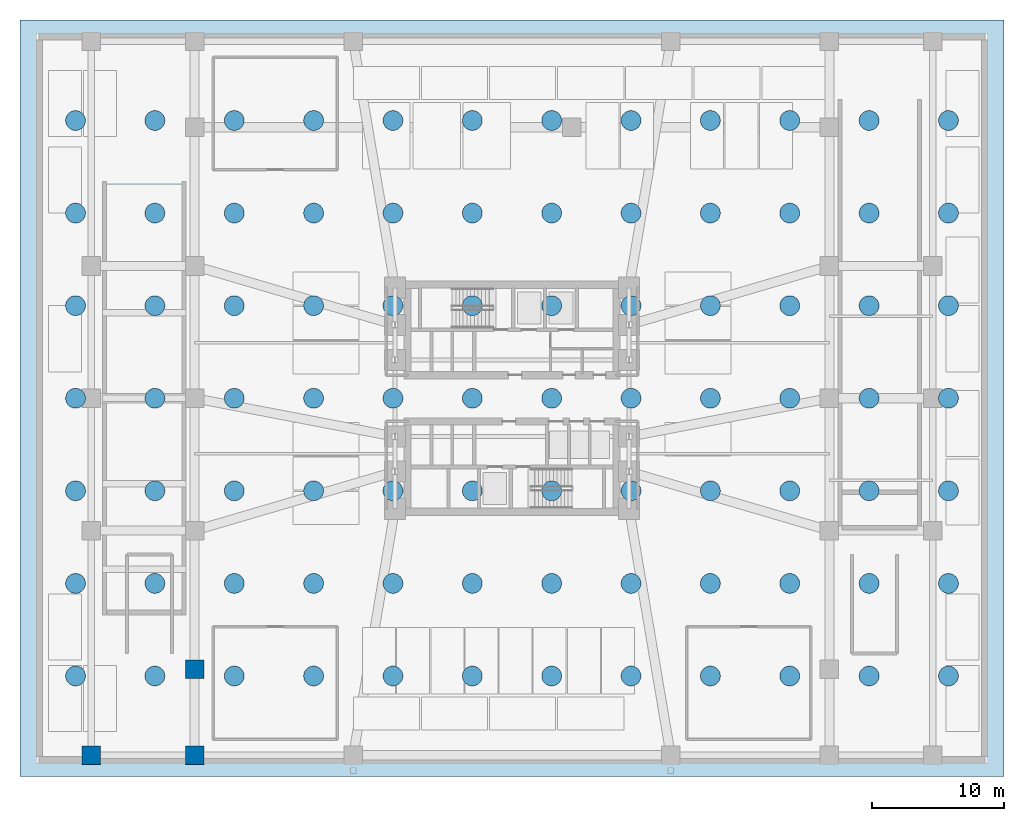
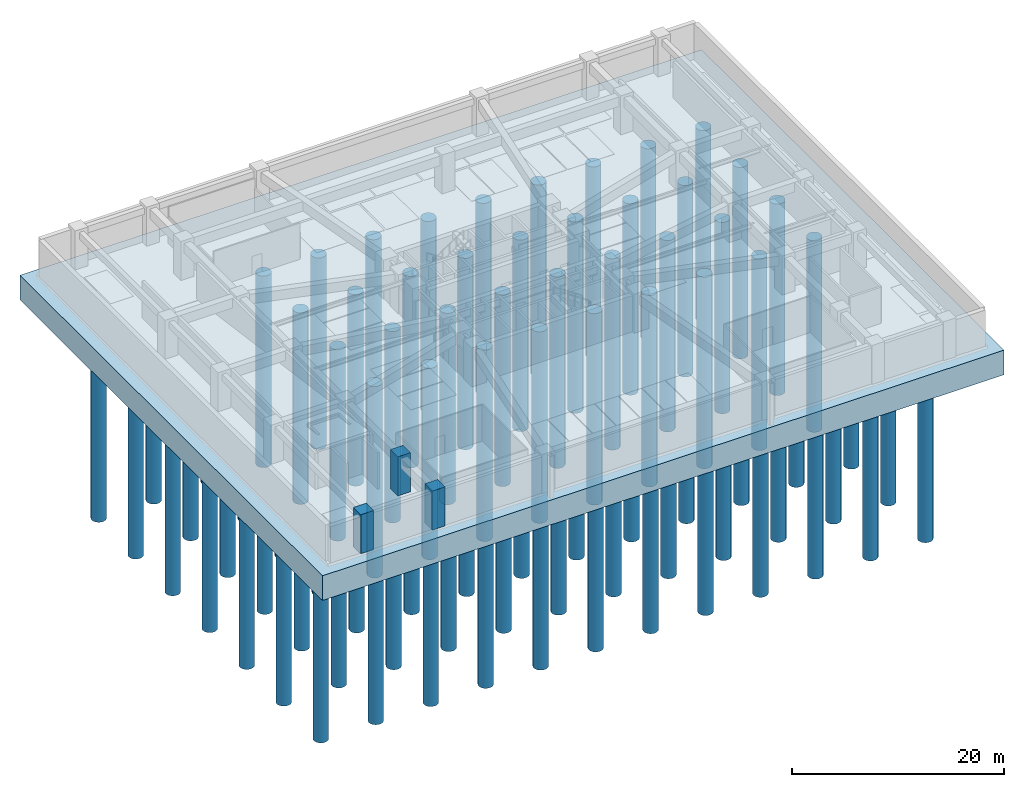
# One storey, part 1 of 14: 84 piles, 3 columns, 1 footing.
"""IFC4 building model written with IfcOpenShell, lengths in metres."""

from ifc_helpers import new_model, si_unit, direction, frame, origin, origin_2d, place, context, subcontext, project, spatial, polyline, rectangle, circle, outline, extrude, material, layer, layer_set, material_profile, profile_set, type_object, element, save


model = new_model("IFC4")

# Units and contexts
model_context = context("Model", 3, precision=1e-05, world=origin(), true_north=direction((0.0, 1.0)))
body_context = subcontext(model_context, "Body", "Model", "MODEL_VIEW")
ifc_project = project(units=[si_unit("LENGTHUNIT", "METRE"), si_unit("AREAUNIT", "SQUARE_METRE"), si_unit("VOLUMEUNIT", "CUBIC_METRE"), si_unit("PLANEANGLEUNIT", "RADIAN"), si_unit("MASSUNIT", "GRAM", prefix="KILO")], contexts=[model_context])

# Site, building, storey
site_placement = place(None, origin())
site = spatial("IfcSite", under=ifc_project, at=site_placement, CompositionType="ELEMENT")
building_placement = place(site_placement, origin())
building = spatial("IfcBuilding", under=site, at=building_placement, Name="Solmarez Civic Tower", CompositionType="ELEMENT")
storey_placement = place(building_placement, frame((0.0, 0.0, -9.0)))
storey = spatial("IfcBuildingStorey", under=building, at=storey_placement, Name="B2", CompositionType="ELEMENT", Elevation=-9.0)

# Piles
ifc_material_1 = material(Name="Concrete C45/55", Category="concrete")
ifc_material_profile_1 = material_profile(ifc_material_1, circle(Radius=0.75, at=origin_2d()), Name="PILE-D1500")
ifc_profile_set_1 = profile_set([ifc_material_profile_1], Name="Concrete C45/55")
pile_type = type_object("IfcPileType", Name="PILE-BORED-D1500", PredefinedType="BORED", material=ifc_profile_set_1)
for number, where, z_axis, x_axis, name in (
    (1, (-33.0, -21.0, -3.10009765625), (0.0, 0.0, -1.0), (1.0, 0.0, 0.0), "Rock-Socketed Bored Pile PILE-01"),
    (2, (-27.0, -21.0, -3.10009765625), (0.0, 0.0, -1.0), (1.0, 0.0, 0.0), "Rock-Socketed Bored Pile PILE-02"),
    (3, (-21.0, -21.0, -3.10009765625), (0.0, 0.0, -1.0), (1.0, 0.0, 0.0), "Rock-Socketed Bored Pile PILE-03"),
    (4, (-15.0, -21.0, -3.10009765625), (0.0, 0.0, -1.0), (1.0, 0.0, 0.0), "Rock-Socketed Bored Pile PILE-04"),
    (5, (-9.0, -21.0, -3.10009765625), (0.0, 0.0, -1.0), (1.0, 0.0, 0.0), "Rock-Socketed Bored Pile PILE-05"),
    (6, (-3.0, -21.0, -3.10009765625), (0.0, 0.0, -1.0), (1.0, 0.0, 0.0), "Rock-Socketed Bored Pile PILE-06"),
    (7, (3.0, -21.0, -3.10009765625), (0.0, 0.0, -1.0), (1.0, 0.0, 0.0), "Rock-Socketed Bored Pile PILE-07"),
    (8, (9.0, -21.0, -3.10009765625), (0.0, 0.0, -1.0), (1.0, 0.0, 0.0), "Rock-Socketed Bored Pile PILE-08"),
    (9, (15.0, -21.0, -3.10009765625), (0.0, 0.0, -1.0), (1.0, 0.0, 0.0), "Rock-Socketed Bored Pile PILE-09"),
    (10, (21.0, -21.0, -3.10009765625), (0.0, 0.0, -1.0), (1.0, 0.0, 0.0), "Rock-Socketed Bored Pile PILE-10"),
    (11, (27.0, -21.0, -3.10009765625), (0.0, 0.0, -1.0), (1.0, 0.0, 0.0), "Rock-Socketed Bored Pile PILE-11"),
    (12, (33.0, -21.0, -3.10009765625), (0.0, 0.0, -1.0), (1.0, 0.0, 0.0), "Rock-Socketed Bored Pile PILE-12"),
    (13, (-33.0, -14.0, -3.10009765625), (0.0, 0.0, -1.0), (1.0, 0.0, 0.0), "Rock-Socketed Bored Pile PILE-13"),
    (14, (-27.0, -14.0, -3.10009765625), (0.0, 0.0, -1.0), (1.0, 0.0, 0.0), "Rock-Socketed Bored Pile PILE-14"),
    (15, (-21.0, -14.0, -3.10009765625), (0.0, 0.0, -1.0), (1.0, 0.0, 0.0), "Rock-Socketed Bored Pile PILE-15"),
    (16, (-15.0, -14.0, -3.10009765625), (0.0, 0.0, -1.0), (1.0, 0.0, 0.0), "Rock-Socketed Bored Pile PILE-16"),
    (17, (-9.0, -14.0, -3.10009765625), (0.0, 0.0, -1.0), (1.0, 0.0, 0.0), "Rock-Socketed Bored Pile PILE-17"),
    (18, (-3.0, -14.0, -3.10009765625), (0.0, 0.0, -1.0), (1.0, 0.0, 0.0), "Rock-Socketed Bored Pile PILE-18"),
    (19, (3.0, -14.0, -3.10009765625), (0.0, 0.0, -1.0), (1.0, 0.0, 0.0), "Rock-Socketed Bored Pile PILE-19"),
    (20, (9.0, -14.0, -3.10009765625), (0.0, 0.0, -1.0), (1.0, 0.0, 0.0), "Rock-Socketed Bored Pile PILE-20"),
    (21, (15.0, -14.0, -3.10009765625), (0.0, 0.0, -1.0), (1.0, 0.0, 0.0), "Rock-Socketed Bored Pile PILE-21"),
    (22, (21.0, -14.0, -3.10009765625), (0.0, 0.0, -1.0), (1.0, 0.0, 0.0), "Rock-Socketed Bored Pile PILE-22"),
    (23, (27.0, -14.0, -3.10009765625), (0.0, 0.0, -1.0), (1.0, 0.0, 0.0), "Rock-Socketed Bored Pile PILE-23"),
    (24, (33.0, -14.0, -3.10009765625), (0.0, 0.0, -1.0), (1.0, 0.0, 0.0), "Rock-Socketed Bored Pile PILE-24"),
    (25, (-33.0, -7.0, -3.10009765625), (0.0, 0.0, -1.0), (1.0, 0.0, 0.0), "Rock-Socketed Bored Pile PILE-25"),
    (26, (-27.0, -7.0, -3.10009765625), (0.0, 0.0, -1.0), (1.0, 0.0, 0.0), "Rock-Socketed Bored Pile PILE-26"),
    (27, (-21.0, -7.0, -3.10009765625), (0.0, 0.0, -1.0), (1.0, 0.0, 0.0), "Rock-Socketed Bored Pile PILE-27"),
    (28, (-15.0, -7.0, -3.10009765625), (0.0, 0.0, -1.0), (1.0, 0.0, 0.0), "Rock-Socketed Bored Pile PILE-28"),
    (29, (-9.0, -7.0, -3.10009765625), (0.0, 0.0, -1.0), (1.0, 0.0, 0.0), "Rock-Socketed Bored Pile PILE-29"),
    (30, (-3.0, -7.0, -3.10009765625), (0.0, 0.0, -1.0), (1.0, 0.0, 0.0), "Rock-Socketed Bored Pile PILE-30"),
    (31, (3.0, -7.0, -3.10009765625), (0.0, 0.0, -1.0), (1.0, 0.0, 0.0), "Rock-Socketed Bored Pile PILE-31"),
    (32, (9.0, -7.0, -3.10009765625), (0.0, 0.0, -1.0), (1.0, 0.0, 0.0), "Rock-Socketed Bored Pile PILE-32"),
    (33, (15.0, -7.0, -3.10009765625), (0.0, 0.0, -1.0), (1.0, 0.0, 0.0), "Rock-Socketed Bored Pile PILE-33"),
    (34, (21.0, -7.0, -3.10009765625), (0.0, 0.0, -1.0), (1.0, 0.0, 0.0), "Rock-Socketed Bored Pile PILE-34"),
    (35, (27.0, -7.0, -3.10009765625), (0.0, 0.0, -1.0), (1.0, 0.0, 0.0), "Rock-Socketed Bored Pile PILE-35"),
    (36, (33.0, -7.0, -3.10009765625), (0.0, 0.0, -1.0), (1.0, 0.0, 0.0), "Rock-Socketed Bored Pile PILE-36"),
    (37, (-33.0, 0.0, -3.10009765625), (0.0, 0.0, -1.0), (1.0, 0.0, 0.0), "Rock-Socketed Bored Pile PILE-37"),
    (38, (-27.0, 0.0, -3.10009765625), (0.0, 0.0, -1.0), (1.0, 0.0, 0.0), "Rock-Socketed Bored Pile PILE-38"),
    (39, (-21.0, 0.0, -3.10009765625), (0.0, 0.0, -1.0), (1.0, 0.0, 0.0), "Rock-Socketed Bored Pile PILE-39"),
    (40, (-15.0, 0.0, -3.10009765625), (0.0, 0.0, -1.0), (1.0, 0.0, 0.0), "Rock-Socketed Bored Pile PILE-40"),
    (41, (-9.0, 0.0, -3.10009765625), (0.0, 0.0, -1.0), (1.0, 0.0, 0.0), "Rock-Socketed Bored Pile PILE-41"),
    (42, (-3.0, 0.0, -3.10009765625), (0.0, 0.0, -1.0), (1.0, 0.0, 0.0), "Rock-Socketed Bored Pile PILE-42"),
    (43, (3.0, 0.0, -3.10009765625), (0.0, 0.0, -1.0), (1.0, 0.0, 0.0), "Rock-Socketed Bored Pile PILE-43"),
    (44, (9.0, 0.0, -3.10009765625), (0.0, 0.0, -1.0), (1.0, 0.0, 0.0), "Rock-Socketed Bored Pile PILE-44"),
    (45, (15.0, 0.0, -3.10009765625), (0.0, 0.0, -1.0), (1.0, 0.0, 0.0), "Rock-Socketed Bored Pile PILE-45"),
    (46, (21.0, 0.0, -3.10009765625), (0.0, 0.0, -1.0), (1.0, 0.0, 0.0), "Rock-Socketed Bored Pile PILE-46"),
    (47, (27.0, 0.0, -3.10009765625), (0.0, 0.0, -1.0), (1.0, 0.0, 0.0), "Rock-Socketed Bored Pile PILE-47"),
    (48, (33.0, 0.0, -3.10009765625), (0.0, 0.0, -1.0), (1.0, 0.0, 0.0), "Rock-Socketed Bored Pile PILE-48"),
    (49, (-33.0, 7.0, -3.10009765625), (0.0, 0.0, -1.0), (1.0, 0.0, 0.0), "Rock-Socketed Bored Pile PILE-49"),
    (50, (-27.0, 7.0, -3.10009765625), (0.0, 0.0, -1.0), (1.0, 0.0, 0.0), "Rock-Socketed Bored Pile PILE-50"),
    (51, (-21.0, 7.0, -3.10009765625), (0.0, 0.0, -1.0), (1.0, 0.0, 0.0), "Rock-Socketed Bored Pile PILE-51"),
    (52, (-15.0, 7.0, -3.10009765625), (0.0, 0.0, -1.0), (1.0, 0.0, 0.0), "Rock-Socketed Bored Pile PILE-52"),
    (53, (-9.0, 7.0, -3.10009765625), (0.0, 0.0, -1.0), (1.0, 0.0, 0.0), "Rock-Socketed Bored Pile PILE-53"),
    (54, (-3.0, 7.0, -3.10009765625), (0.0, 0.0, -1.0), (1.0, 0.0, 0.0), "Rock-Socketed Bored Pile PILE-54"),
    (55, (3.0, 7.0, -3.10009765625), (0.0, 0.0, -1.0), (1.0, 0.0, 0.0), "Rock-Socketed Bored Pile PILE-55"),
    (56, (9.0, 7.0, -3.10009765625), (0.0, 0.0, -1.0), (1.0, 0.0, 0.0), "Rock-Socketed Bored Pile PILE-56"),
    (57, (15.0, 7.0, -3.10009765625), (0.0, 0.0, -1.0), (1.0, 0.0, 0.0), "Rock-Socketed Bored Pile PILE-57"),
    (58, (21.0, 7.0, -3.10009765625), (0.0, 0.0, -1.0), (1.0, 0.0, 0.0), "Rock-Socketed Bored Pile PILE-58"),
    (59, (27.0, 7.0, -3.10009765625), (0.0, 0.0, -1.0), (1.0, 0.0, 0.0), "Rock-Socketed Bored Pile PILE-59"),
    (60, (33.0, 7.0, -3.10009765625), (0.0, 0.0, -1.0), (1.0, 0.0, 0.0), "Rock-Socketed Bored Pile PILE-60"),
    (61, (-33.0, 14.0, -3.10009765625), (0.0, 0.0, -1.0), (1.0, 0.0, 0.0), "Rock-Socketed Bored Pile PILE-61"),
    (62, (-27.0, 14.0, -3.10009765625), (0.0, 0.0, -1.0), (1.0, 0.0, 0.0), "Rock-Socketed Bored Pile PILE-62"),
    (63, (-21.0, 14.0, -3.10009765625), (0.0, 0.0, -1.0), (1.0, 0.0, 0.0), "Rock-Socketed Bored Pile PILE-63"),
    (64, (-15.0, 14.0, -3.10009765625), (0.0, 0.0, -1.0), (1.0, 0.0, 0.0), "Rock-Socketed Bored Pile PILE-64"),
    (65, (-9.0, 14.0, -3.10009765625), (0.0, 0.0, -1.0), (1.0, 0.0, 0.0), "Rock-Socketed Bored Pile PILE-65"),
    (66, (-3.0, 14.0, -3.10009765625), (0.0, 0.0, -1.0), (1.0, 0.0, 0.0), "Rock-Socketed Bored Pile PILE-66"),
    (67, (3.0, 14.0, -3.10009765625), (0.0, 0.0, -1.0), (1.0, 0.0, 0.0), "Rock-Socketed Bored Pile PILE-67"),
    (68, (9.0, 14.0, -3.10009765625), (0.0, 0.0, -1.0), (1.0, 0.0, 0.0), "Rock-Socketed Bored Pile PILE-68"),
    (69, (15.0, 14.0, -3.10009765625), (0.0, 0.0, -1.0), (1.0, 0.0, 0.0), "Rock-Socketed Bored Pile PILE-69"),
    (70, (21.0, 14.0, -3.10009765625), (0.0, 0.0, -1.0), (1.0, 0.0, 0.0), "Rock-Socketed Bored Pile PILE-70"),
    (71, (27.0, 14.0, -3.10009765625), (0.0, 0.0, -1.0), (1.0, 0.0, 0.0), "Rock-Socketed Bored Pile PILE-71"),
    (72, (33.0, 14.0, -3.10009765625), (0.0, 0.0, -1.0), (1.0, 0.0, 0.0), "Rock-Socketed Bored Pile PILE-72"),
    (73, (-33.0, 21.0, -3.10009765625), (0.0, 0.0, -1.0), (1.0, 0.0, 0.0), "Rock-Socketed Bored Pile PILE-73"),
    (74, (-27.0, 21.0, -3.10009765625), (0.0, 0.0, -1.0), (1.0, 0.0, 0.0), "Rock-Socketed Bored Pile PILE-74"),
    (75, (-21.0, 21.0, -3.10009765625), (0.0, 0.0, -1.0), (1.0, 0.0, 0.0), "Rock-Socketed Bored Pile PILE-75"),
    (76, (-15.0, 21.0, -3.10009765625), (0.0, 0.0, -1.0), (1.0, 0.0, 0.0), "Rock-Socketed Bored Pile PILE-76"),
    (77, (-9.0, 21.0, -3.10009765625), (0.0, 0.0, -1.0), (1.0, 0.0, 0.0), "Rock-Socketed Bored Pile PILE-77"),
    (78, (-3.0, 21.0, -3.10009765625), (0.0, 0.0, -1.0), (1.0, 0.0, 0.0), "Rock-Socketed Bored Pile PILE-78"),
    (79, (3.0, 21.0, -3.10009765625), (0.0, 0.0, -1.0), (1.0, 0.0, 0.0), "Rock-Socketed Bored Pile PILE-79"),
    (80, (9.0, 21.0, -3.10009765625), (0.0, 0.0, -1.0), (1.0, 0.0, 0.0), "Rock-Socketed Bored Pile PILE-80"),
    (81, (15.0, 21.0, -3.10009765625), (0.0, 0.0, -1.0), (1.0, 0.0, 0.0), "Rock-Socketed Bored Pile PILE-81"),
    (82, (21.0, 21.0, -3.10009765625), (0.0, 0.0, -1.0), (1.0, 0.0, 0.0), "Rock-Socketed Bored Pile PILE-82"),
    (83, (27.0, 21.0, -3.10009765625), (0.0, 0.0, -1.0), (1.0, 0.0, 0.0), "Rock-Socketed Bored Pile PILE-83"),
    (84, (33.0, 21.0, -3.10009765625), (0.0, 0.0, -1.0), (1.0, 0.0, 0.0), "Rock-Socketed Bored Pile PILE-84"),
):
    element("IfcPile", number, at=place(storey_placement, frame(where, z_axis=z_axis, x_axis=x_axis)), inside=storey, type_object=pile_type, Name=name, PredefinedType="BORED", context=body_context, shape_type="SweptSolid", body=[
        extrude(circle(Radius=0.75, at=origin_2d()), origin(), (0.0, 0.0, 1.0), 22.10009765625),
    ])

# Footing
ifc_material_2 = material(Name="Concrete C50/60", Category="concrete")
ifc_layer = layer(ifc_material_2, 2.85009765625)
ifc_layer_set = layer_set([ifc_layer], Name="Concrete C50/60")
footing_type = type_object("IfcFootingType", Name="RAFT-C50-2850", PredefinedType="CAISSON_FOUNDATION", material=ifc_layer_set)
footing_placement = place(storey_placement, frame((0.0, 0.0, -3.199951171875)))
element("IfcFooting", 85, at=footing_placement, inside=storey, type_object=footing_type, Name="Unified Reinforced Concrete Piled Raft RF1", PredefinedType="CAISSON_FOUNDATION", context=body_context, shape_type="SweptSolid", body=[
    extrude(outline(polyline([(-37.199951171875, -28.60009765625), (37.199951171875, -28.60009765625), (37.199951171875, 28.60009765625), (-37.199951171875, 28.60009765625), (-37.199951171875, -28.60009765625)])), origin(), (0.0, 0.0, 1.0), 2.849853515625),
])

# Columns
ifc_material_3 = material(Name="Concrete C60/75", Category="concrete")
ifc_material_profile_2 = material_profile(ifc_material_3, rectangle(XDim=1.39990234375, YDim=1.39990234375, at=origin_2d()), Name="RC1400X1400")
ifc_profile_set_2 = profile_set([ifc_material_profile_2], Name="Concrete C60/75")
column_type = type_object("IfcColumnType", Name="COL-RC1400", PredefinedType="COLUMN", material=ifc_profile_set_2)
for number, where, z_axis, x_axis, name in (
    (86, (-31.800048828125, -27.0, 0.0), (0.0, 0.0, 1.0), (1.0, 0.0, 0.0), "B2 Structural Column PC01"),
    (87, (-24.0, -27.0, 0.0), (0.0, 0.0, 1.0), (1.0, 0.0, 0.0), "B2 Structural Column PC02"),
    (88, (-24.0, -20.5, 0.0), (0.0, 0.0, 1.0), (1.0, 0.0, 0.0), "B2 Structural Column PC27"),
):
    element("IfcColumn", number, at=place(storey_placement, frame(where, z_axis=z_axis, x_axis=x_axis)), inside=storey, type_object=column_type, Name=name, PredefinedType="COLUMN", context=body_context, shape_type="SweptSolid", body=[
        extrude(rectangle(XDim=1.39990234375, YDim=1.39990234375, at=origin_2d()), origin(), (0.0, 0.0, 1.0), 4.5),
    ])

save(model, "model.ifc")
